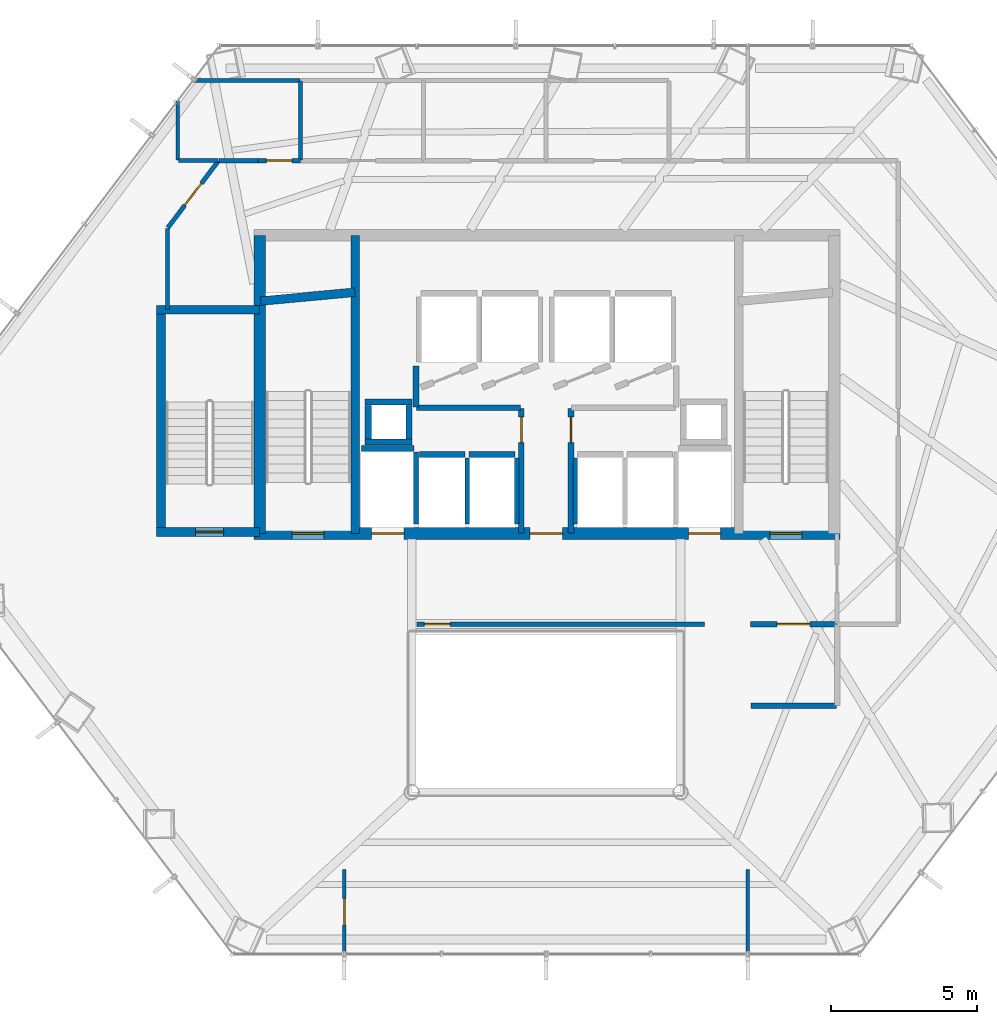
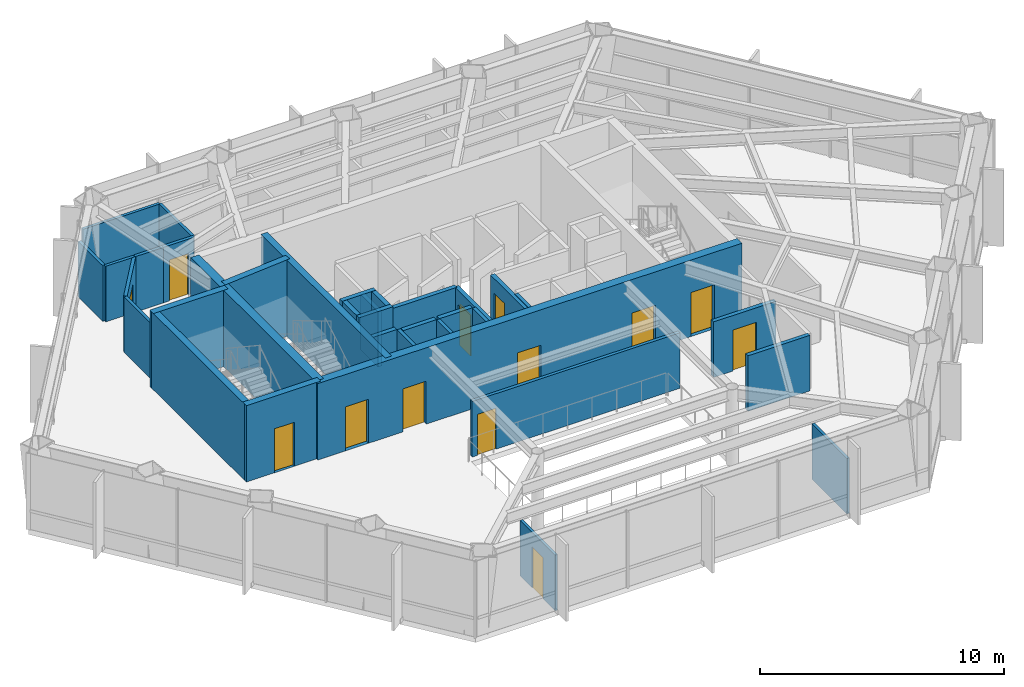
# One storey, part 23 of 26: 35 walls, 13 doors, 13 openings.
"""IFC4 building model written with IfcOpenShell, lengths in metres."""

from ifc_helpers import new_model, si_unit, direction, frame, frame_2d, origin, place, context, subcontext, project, spatial, rectangle, extrude, material, layer, layer_set, type_object, element, fill, save


model = new_model("IFC4")

# Units and contexts
model_context = context("Model", 3, precision=1e-05, world=origin(), true_north=direction((0.0, 1.0)))
body_context = subcontext(model_context, "Body", "Model", "MODEL_VIEW")
ifc_project = project(units=[si_unit("LENGTHUNIT", "METRE"), si_unit("AREAUNIT", "SQUARE_METRE"), si_unit("VOLUMEUNIT", "CUBIC_METRE"), si_unit("PLANEANGLEUNIT", "RADIAN"), si_unit("MASSUNIT", "GRAM", prefix="KILO")], contexts=[model_context])

# Site, building, storey
site_placement = place(None, origin())
site = spatial("IfcSite", under=ifc_project, at=site_placement, CompositionType="ELEMENT")
building_placement = place(site_placement, origin())
building = spatial("IfcBuilding", under=site, at=building_placement, Name="Zarrinselat Tower", CompositionType="ELEMENT")
storey_placement = place(building_placement, frame((0.0, 0.0, 60.179931640625)))
storey = spatial("IfcBuildingStorey", under=building, at=storey_placement, Name="L14", CompositionType="ELEMENT", Elevation=60.179931640625)

# Wall, opening, door
ifc_material_1 = material(Name="Concrete C40/50", Category="concrete")
ifc_layer_1 = layer(ifc_material_1, 0.18994140625)
ifc_layer_set_1 = layer_set([ifc_layer_1], Name="Concrete C40/50")
wall_type_1 = type_object("IfcWallType", Name="WAL-PART-EI120", PredefinedType="PARTITIONING", material=ifc_layer_set_1)
wall_1_placement = place(storey_placement, frame((45.385009765625, 30.14990234375, 0.0), z_axis=(0.0, 0.0, 1.0), x_axis=(1.0, 0.0, 0.0)))
wall_1 = element("IfcWall", 1, at=wall_1_placement, inside=storey, type_object=wall_type_1, Name="L14 Partition Wall 7", PredefinedType="PARTITIONING", context=body_context, shape_type="SweptSolid", body=[
    extrude(rectangle(XDim=2.945068359375, YDim=0.18994140625, at=frame_2d((1.47265625, 0.0))), origin(), (0.0, 0.0, 1.0), 2.777099609375),
])
opening_1_placement = place(wall_1_placement, frame((0.91259765625, 0.0, 0.0)))
opening_1 = element("IfcOpeningElement", 2, at=opening_1_placement, cuts=wall_1, Name="Opening ID-02", PredefinedType="OPENING", context=body_context, shape_type="SweptSolid", body=[
    extrude(rectangle(XDim=1.1201171875, YDim=2.050048828125, at=frame_2d((0.56005859375, 1.02490234375))), frame((0.0, 0.10498046875, 0.0), z_axis=(0.0, -1.0, 0.0), x_axis=(1.0, 0.0, 0.0)), (0.0, 0.0, 1.0), 0.2099609375),
])
ifc_material_2 = material(Name="Steel S355J2", Category="steel")
door_type_1 = type_object("IfcDoorType", Name="DR-INT-FD60-W", OperationType="NOTDEFINED", PredefinedType="DOOR", material=ifc_material_2)
door_1_placement = place(opening_1_placement, origin())
door_1 = element("IfcDoor", 3, at=door_1_placement, inside=storey, type_object=door_type_1, Name="L14 Interior Door P7", OperationType="SINGLE_SWING_LEFT", OverallHeight=2.050048828125, OverallWidth=1.1201171875, PredefinedType="DOOR", context=body_context, shape_type="SweptSolid", body=[
    extrude(rectangle(XDim=1.1201171875, YDim=2.050048828125, at=frame_2d((0.56005859375, 1.02490234375))), frame((0.0, 0.02490234375, 0.0), z_axis=(0.0, -1.0, 0.0), x_axis=(1.0, 0.0, 0.0)), (0.0, 0.0, 1.0), 0.050048828125),
])
fill(opening_1, door_1)

# Wall
wall_2_placement = place(storey_placement, frame((45.39990234375, 27.35009765625, 0.0), z_axis=(0.0, 0.0, 1.0), x_axis=(1.0, 0.0, 0.0)))
element("IfcWall", 4, at=wall_2_placement, inside=storey, type_object=wall_type_1, Name="L14 Partition Wall 10", PredefinedType="PARTITIONING", context=body_context, shape_type="SweptSolid", body=[
    extrude(rectangle(XDim=2.93017578125, YDim=0.18994140625, at=frame_2d((1.465087890625, 0.0))), origin(), (0.0, 0.0, 1.0), 2.777099609375),
])

# Wall, opening, door
ifc_material_3 = material(Name="Fire-Rated Gypsum Board Partition", Category="gypsum")
ifc_layer_2 = layer(ifc_material_3, 0.14990234375)
ifc_layer_set_2 = layer_set([ifc_layer_2], Name="Fire-Rated Gypsum Board Partition")
wall_type_2 = type_object("IfcWallType", Name="WAL-PART-EI60", PredefinedType="PARTITIONING", material=ifc_layer_set_2)
wall_3_placement = place(storey_placement, frame((33.985107421875, 30.14990234375, 0.0), z_axis=(0.0, 0.0, 1.0), x_axis=(1.0, 0.0, 0.0)))
wall_3 = element("IfcWall", 5, at=wall_3_placement, inside=storey, type_object=wall_type_2, Name="L14 Partition Wall 9", PredefinedType="PARTITIONING", context=body_context, shape_type="SweptSolid", body=[
    extrude(rectangle(XDim=9.829833984375, YDim=0.14990234375, at=frame_2d((4.9150390625, 0.0))), origin(), (0.0, 0.0, 1.0), 2.777099609375),
])
opening_2_placement = place(wall_3_placement, frame((0.25, 0.0, 0.0)))
opening_2 = element("IfcOpeningElement", 6, at=opening_2_placement, cuts=wall_3, Name="Opening ID-03", PredefinedType="OPENING", context=body_context, shape_type="SweptSolid", body=[
    extrude(rectangle(XDim=0.8798828125, YDim=2.050048828125, at=frame_2d((0.43994140625, 1.02490234375))), frame((0.0, 0.0849609375, 0.0), z_axis=(0.0, -1.0, 0.0), x_axis=(1.0, 0.0, 0.0)), (0.0, 0.0, 1.0), 0.169921875),
])
ifc_material_4 = material(Name="Steel S355J2", Category="steel")
door_type_2 = type_object("IfcDoorType", Name="DR-INT-FD60-S", OperationType="NOTDEFINED", PredefinedType="DOOR", material=ifc_material_4)
door_2_placement = place(opening_2_placement, origin())
door_2 = element("IfcDoor", 7, at=door_2_placement, inside=storey, type_object=door_type_2, Name="L14 Interior Door P9", OperationType="SINGLE_SWING_LEFT", OverallHeight=2.050048828125, OverallWidth=0.8798828125, PredefinedType="DOOR", context=body_context, shape_type="SweptSolid", body=[
    extrude(rectangle(XDim=0.8798828125, YDim=2.050048828125, at=frame_2d((0.43994140625, 1.02490234375))), frame((0.0, 0.02490234375, 0.0), z_axis=(0.0, -1.0, 0.0), x_axis=(1.0, 0.0, 0.0)), (0.0, 0.0, 1.0), 0.050048828125),
])
fill(opening_2, door_2)

# Wall
wall_4_placement = place(storey_placement, frame((27.216552734375, 46.0, 0.0), z_axis=(0.0, 0.0, 1.0), x_axis=(1.0, 0.0, 0.0)))
element("IfcWall", 8, at=wall_4_placement, inside=storey, type_object=wall_type_2, Name="L14 Partition Wall 12", PredefinedType="PARTITIONING", context=body_context, shape_type="SweptSolid", body=[
    extrude(rectangle(XDim=1.33349609375, YDim=0.14990234375, at=frame_2d((0.666748046875, 0.0))), origin(), (0.0, 0.0, 1.0), 2.777099609375),
])

# Wall, opening, door
wall_5_placement = place(storey_placement, frame((28.550048828125, 46.0, 0.0), z_axis=(0.0, 0.0, 1.0), x_axis=(1.0, 0.0, 0.0)))
wall_5 = element("IfcWall", 9, at=wall_5_placement, inside=storey, type_object=wall_type_2, Name="L14 Partition Wall 13", PredefinedType="PARTITIONING", context=body_context, shape_type="SweptSolid", body=[
    extrude(rectangle(XDim=1.445068359375, YDim=0.14990234375, at=frame_2d((0.72265625, 0.0))), origin(), (0.0, 0.0, 1.0), 2.777099609375),
])
opening_3_placement = place(wall_5_placement, frame((0.282470703125, 0.0, 0.0)))
opening_3 = element("IfcOpeningElement", 10, at=opening_3_placement, cuts=wall_5, Name="Opening ID-03", PredefinedType="OPENING", context=body_context, shape_type="SweptSolid", body=[
    extrude(rectangle(XDim=0.8798828125, YDim=2.050048828125, at=frame_2d((0.43994140625, 1.02490234375))), frame((0.0, 0.0849609375, 0.0), z_axis=(0.0, -1.0, 0.0), x_axis=(1.0, 0.0, 0.0)), (0.0, 0.0, 1.0), 0.169921875),
])
door_3_placement = place(opening_3_placement, origin())
door_3 = element("IfcDoor", 11, at=door_3_placement, inside=storey, type_object=door_type_2, Name="L14 Interior Door P13", OperationType="SINGLE_SWING_RIGHT", OverallHeight=2.050048828125, OverallWidth=0.8798828125, PredefinedType="DOOR", context=body_context, shape_type="SweptSolid", body=[
    extrude(rectangle(XDim=0.8798828125, YDim=2.050048828125, at=frame_2d((0.43994140625, 1.02490234375))), frame((0.0, 0.02490234375, 0.0), z_axis=(0.0, -1.0, 0.0), x_axis=(1.0, 0.0, 0.0)), (0.0, 0.0, 1.0), 0.050048828125),
])
fill(opening_3, door_3)

# Wall
wall_6_placement = place(storey_placement, frame((25.449951171875, 40.9150390625, 0.0), z_axis=(0.0, 0.0, 1.0), x_axis=(0.0, 1.0, 0.0)))
element("IfcWall", 12, at=wall_6_placement, inside=storey, type_object=wall_type_2, Name="L14 Partition Wall 17", PredefinedType="PARTITIONING", context=body_context, shape_type="SweptSolid", body=[
    extrude(rectangle(XDim=2.75927734375, YDim=0.14990234375, at=frame_2d((1.379638671875, 0.0))), origin(), (0.0, 0.0, 1.0), 2.777099609375),
])

# Wall, opening, door
wall_7_placement = place(storey_placement, frame((25.462158203125, 43.710205078125, 0.0), z_axis=(0.0, 0.0, 1.0), x_axis=(0.603800014115, 0.797135837204, 0.0)))
wall_7 = element("IfcWall", 13, at=wall_7_placement, inside=storey, type_object=wall_type_2, Name="L14 Partition Wall 18", PredefinedType="PARTITIONING", context=body_context, shape_type="SweptSolid", body=[
    extrude(rectangle(XDim=2.8525390625, YDim=0.14990234375, at=frame_2d((1.42626953125, 0.0))), origin(), (0.0, 0.0, 1.0), 2.777099609375),
])
opening_4_placement = place(wall_7_placement, frame((0.956298828125, 0.0, 0.0)))
opening_4 = element("IfcOpeningElement", 14, at=opening_4_placement, cuts=wall_7, Name="Opening ID-04", PredefinedType="OPENING", context=body_context, shape_type="SweptSolid", body=[
    extrude(rectangle(XDim=0.93994140625, YDim=2.050048828125, at=frame_2d((0.469970703125, 1.02490234375))), frame((0.0, 0.0849609375, 0.0), z_axis=(0.0, -1.0, 0.0), x_axis=(1.0, 0.0, 0.0)), (0.0, 0.0, 1.0), 0.169921875),
])
ifc_material_5 = material(Name="Fire-Rated Gypsum Board Partition")
door_type_3 = type_object("IfcDoorType", Name="DR-INT-FD30-ENT", OperationType="NOTDEFINED", PredefinedType="DOOR", material=ifc_material_5)
door_4_placement = place(opening_4_placement, origin())
door_4 = element("IfcDoor", 15, at=door_4_placement, inside=storey, type_object=door_type_3, Name="L14 Interior Door P18", OperationType="SINGLE_SWING_RIGHT", OverallHeight=2.050048828125, OverallWidth=0.93994140625, PredefinedType="DOOR", context=body_context, shape_type="SweptSolid", body=[
    extrude(rectangle(XDim=0.93994140625, YDim=2.050048828125, at=frame_2d((0.469970703125, 1.02490234375))), frame((0.0, 0.02490234375, 0.0), z_axis=(0.0, -1.0, 0.0), x_axis=(1.0, 0.0, 0.0)), (0.0, 0.0, 1.0), 0.050048828125),
])
fill(opening_4, door_4)

ifc_material_6 = material(Name="Concrete C40/50", Category="concrete")
ifc_layer_3 = layer(ifc_material_6, 0.199951171875)
ifc_layer_set_3 = layer_set([ifc_layer_3], Name="Concrete C40/50")
wall_type_3 = type_object("IfcWallType", Name="WAL-PART-PLANT", PredefinedType="PARTITIONING", material=ifc_layer_set_3)
wall_8_placement = place(storey_placement, frame((37.550048828125, 33.264892578125, 0.0), z_axis=(0.0, 0.0, 1.0), x_axis=(0.0, 1.0, 0.0)))
wall_8 = element("IfcWall", 16, at=wall_8_placement, inside=storey, type_object=wall_type_3, Name="L14 Partition Wall 1", PredefinedType="PARTITIONING", context=body_context, shape_type="SweptSolid", body=[
    extrude(rectangle(XDim=4.26513671875, YDim=0.199951171875, at=frame_2d((2.132568359375, 0.0))), origin(), (0.0, 0.0, 1.0), 2.777099609375),
])
opening_5_placement = place(wall_8_placement, frame((3.092529296875, 0.0, 0.0)))
opening_5 = element("IfcOpeningElement", 17, at=opening_5_placement, cuts=wall_8, Name="Opening ID-03", PredefinedType="OPENING", context=body_context, shape_type="SweptSolid", body=[
    extrude(rectangle(XDim=0.8798828125, YDim=2.050048828125, at=frame_2d((0.43994140625, 1.02490234375))), frame((0.0, 0.10986328125, 0.0), z_axis=(0.0, -1.0, 0.0), x_axis=(1.0, 0.0, 0.0)), (0.0, 0.0, 1.0), 0.219970703125),
])
door_5_placement = place(opening_5_placement, origin())
door_5 = element("IfcDoor", 18, at=door_5_placement, inside=storey, type_object=door_type_2, Name="L14 Interior Door P1", OperationType="SINGLE_SWING_LEFT", OverallHeight=2.050048828125, OverallWidth=0.8798828125, PredefinedType="DOOR", context=body_context, shape_type="SweptSolid", body=[
    extrude(rectangle(XDim=0.8798828125, YDim=2.050048828125, at=frame_2d((0.43994140625, 1.02490234375))), frame((0.0, 0.02490234375, 0.0), z_axis=(0.0, -1.0, 0.0), x_axis=(1.0, 0.0, 0.0)), (0.0, 0.0, 1.0), 0.050048828125),
])
fill(opening_5, door_5)

# Walls
wall_9_placement = place(storey_placement, frame((33.969970703125, 37.550048828125, 0.0), z_axis=(0.0, 0.0, 1.0), x_axis=(1.0, 0.0, 0.0)))
element("IfcWall", 19, at=wall_9_placement, inside=storey, type_object=wall_type_3, Name="L14 Partition Wall 2", PredefinedType="PARTITIONING", context=body_context, shape_type="SweptSolid", body=[
    extrude(rectangle(XDim=3.56005859375, YDim=0.199951171875, at=frame_2d((1.780029296875, 0.0))), origin(), (0.0, 0.0, 1.0), 2.777099609375),
])
wall_10_placement = place(storey_placement, frame((33.949951171875, 37.570068359375, 0.0), z_axis=(0.0, 0.0, 1.0), x_axis=(0.0, 1.0, 0.0)))
element("IfcWall", 20, at=wall_10_placement, inside=storey, type_object=wall_type_3, Name="L14 Partition Wall 3", PredefinedType="PARTITIONING", context=body_context, shape_type="SweptSolid", body=[
    extrude(rectangle(XDim=1.4150390625, YDim=0.199951171875, at=frame_2d((0.70751953125, 0.0))), origin(), (0.0, 0.0, 1.0), 2.777099609375),
])

# Wall, opening, door
wall_11_placement = place(storey_placement, frame((39.25, 33.264892578125, 0.0), z_axis=(0.0, 0.0, 1.0), x_axis=(0.0, 1.0, 0.0)))
wall_11 = element("IfcWall", 21, at=wall_11_placement, inside=storey, type_object=wall_type_3, Name="L14 Partition Wall 6", PredefinedType="PARTITIONING", context=body_context, shape_type="SweptSolid", body=[
    extrude(rectangle(XDim=4.26513671875, YDim=0.199951171875, at=frame_2d((2.132568359375, 0.0))), origin(), (0.0, 0.0, 1.0), 2.777099609375),
])
opening_6_placement = place(wall_11_placement, frame((3.092529296875, 0.0, 0.0)))
opening_6 = element("IfcOpeningElement", 22, at=opening_6_placement, cuts=wall_11, Name="Opening ID-03", PredefinedType="OPENING", context=body_context, shape_type="SweptSolid", body=[
    extrude(rectangle(XDim=0.8798828125, YDim=2.050048828125, at=frame_2d((0.43994140625, 1.02490234375))), frame((0.0, 0.10986328125, 0.0), z_axis=(0.0, -1.0, 0.0), x_axis=(1.0, 0.0, 0.0)), (0.0, 0.0, 1.0), 0.219970703125),
])
door_6_placement = place(opening_6_placement, origin())
door_6 = element("IfcDoor", 23, at=door_6_placement, inside=storey, type_object=door_type_2, Name="L14 Interior Door P6", OperationType="SINGLE_SWING_RIGHT", OverallHeight=2.050048828125, OverallWidth=0.8798828125, PredefinedType="DOOR", context=body_context, shape_type="SweptSolid", body=[
    extrude(rectangle(XDim=0.8798828125, YDim=2.050048828125, at=frame_2d((0.43994140625, 1.02490234375))), frame((0.0, 0.02490234375, 0.0), z_axis=(0.0, -1.0, 0.0), x_axis=(1.0, 0.0, 0.0)), (0.0, 0.0, 1.0), 0.050048828125),
])
fill(opening_6, door_6)

ifc_material_7 = material(Name="Fire-Rated Gypsum Board Partition", Category="gypsum")
ifc_layer_4 = layer(ifc_material_7, 0.1201171875)
ifc_layer_set_4 = layer_set([ifc_layer_4], Name="Fire-Rated Gypsum Board Partition")
wall_type_4 = type_object("IfcWallType", Name="WAL-PART-STD", PredefinedType="PARTITIONING", material=ifc_layer_set_4)
wall_12_placement = place(storey_placement, frame((31.5, 18.876708984375, 0.0), z_axis=(0.0, 0.0, 1.0), x_axis=(0.0, 1.0, 0.0)))
wall_12 = element("IfcWall", 24, at=wall_12_placement, inside=storey, type_object=wall_type_4, Name="L14 Partition Wall 35", PredefinedType="PARTITIONING", context=body_context, shape_type="SweptSolid", body=[
    extrude(rectangle(XDim=2.873291015625, YDim=0.1201171875, at=frame_2d((1.4365234375, 0.0))), origin(), (0.0, 0.0, 1.0), 2.777099609375),
])
opening_7_placement = place(wall_12_placement, frame((0.98681640625, 0.0, 0.0)))
opening_7 = element("IfcOpeningElement", 25, at=opening_7_placement, cuts=wall_12, Name="Opening ID-05", PredefinedType="OPENING", context=body_context, shape_type="SweptSolid", body=[
    extrude(rectangle(XDim=0.89990234375, YDim=2.050048828125, at=frame_2d((0.449951171875, 1.02490234375))), frame((0.0, 0.070068359375, 0.0), z_axis=(0.0, -1.0, 0.0), x_axis=(1.0, 0.0, 0.0)), (0.0, 0.0, 1.0), 0.14013671875),
])
ifc_material_8 = material(Name="Extruded Aluminium Alloy EN AW-6063 T6", Category="aluminium")
door_type_4 = type_object("IfcDoorType", Name="DR-INT-STD-920", OperationType="NOTDEFINED", PredefinedType="DOOR", material=ifc_material_8)
door_7_placement = place(opening_7_placement, origin())
door_7 = element("IfcDoor", 26, at=door_7_placement, inside=storey, type_object=door_type_4, Name="L14 Interior Door P35", OperationType="SINGLE_SWING_LEFT", OverallHeight=2.050048828125, OverallWidth=0.89990234375, PredefinedType="DOOR", context=body_context, shape_type="SweptSolid", body=[
    extrude(rectangle(XDim=0.89990234375, YDim=2.050048828125, at=frame_2d((0.449951171875, 1.02490234375))), frame((0.0, 0.02490234375, 0.0), z_axis=(0.0, -1.0, 0.0), x_axis=(1.0, 0.0, 0.0)), (0.0, 0.0, 1.0), 0.050048828125),
])
fill(opening_7, door_7)

# Walls
wall_13_placement = place(storey_placement, frame((45.300048828125, 18.876708984375, 0.0), z_axis=(0.0, 0.0, 1.0), x_axis=(0.0, 1.0, 0.0)))
element("IfcWall", 27, at=wall_13_placement, inside=storey, type_object=wall_type_4, Name="L14 Partition Wall 36", PredefinedType="PARTITIONING", context=body_context, shape_type="SweptSolid", body=[
    extrude(rectangle(XDim=2.873291015625, YDim=0.1201171875, at=frame_2d((1.4365234375, 0.0))), origin(), (0.0, 0.0, 1.0), 2.777099609375),
])
ifc_material_9 = material(Name="Fire-Rated Gypsum Board Partition", Category="gypsum")
ifc_layer_5 = layer(ifc_material_9, 0.135009765625)
ifc_layer_set_5 = layer_set([ifc_layer_5], Name="Fire-Rated Gypsum Board Partition")
wall_type_5 = type_object("IfcWallType", Name="WAL-PART-WET", PredefinedType="PARTITIONING", material=ifc_layer_set_5)
wall_14_placement = place(storey_placement, frame((30.0, 46.02001953125, 0.0), z_axis=(0.0, 0.0, 1.0), x_axis=(0.0, 1.0, 0.0)))
element("IfcWall", 28, at=wall_14_placement, inside=storey, type_object=wall_type_5, Name="L14 Partition Wall 25", PredefinedType="PARTITIONING", context=body_context, shape_type="SweptSolid", body=[
    extrude(rectangle(XDim=2.7099609375, YDim=0.135009765625, at=frame_2d((1.35498046875, 0.0))), origin(), (0.0, 0.0, 1.0), 2.777099609375),
])
wall_15_placement = place(storey_placement, frame((25.820068359375, 46.0, 0.0), z_axis=(0.0, 0.0, 1.0), x_axis=(1.0, 0.0, 0.0)))
element("IfcWall", 29, at=wall_15_placement, inside=storey, type_object=wall_type_5, Name="L14 Partition Wall 26", PredefinedType="PARTITIONING", context=body_context, shape_type="SweptSolid", body=[
    extrude(rectangle(XDim=1.3564453125, YDim=0.135009765625, at=frame_2d((0.67822265625, 0.0))), origin(), (0.0, 0.0, 1.0), 2.777099609375),
])
wall_16_placement = place(storey_placement, frame((25.800048828125, 46.02001953125, 0.0), z_axis=(0.0, 0.0, 1.0), x_axis=(0.0, 1.0, 0.0)))
element("IfcWall", 30, at=wall_16_placement, inside=storey, type_object=wall_type_5, Name="L14 Partition Wall 27", PredefinedType="PARTITIONING", context=body_context, shape_type="SweptSolid", body=[
    extrude(rectangle(XDim=2.029541015625, YDim=0.135009765625, at=frame_2d((1.0146484375, 0.0))), origin(), (0.0, 0.0, 1.0), 2.777099609375),
])
wall_17_placement = place(storey_placement, frame((26.334228515625, 48.75, 0.0), z_axis=(0.0, 0.0, 1.0), x_axis=(1.0, 0.0, 0.0)))
element("IfcWall", 31, at=wall_17_placement, inside=storey, type_object=wall_type_5, Name="L14 Partition Wall 28", PredefinedType="PARTITIONING", context=body_context, shape_type="SweptSolid", body=[
    extrude(rectangle(XDim=3.645751953125, YDim=0.135009765625, at=frame_2d((1.82275390625, 0.0))), origin(), (0.0, 0.0, 1.0), 2.777099609375),
])
ifc_material_10 = material(Name="Concrete C40/50", Category="concrete")
ifc_layer_6 = layer(ifc_material_10, 0.2099609375)
ifc_layer_set_6 = layer_set([ifc_layer_6], Name="Concrete C40/50")
wall_type_6 = type_object("IfcWallType", Name="WAL-SHAFT-210", PredefinedType="SOLIDWALL", material=ifc_layer_set_6)
wall_18_placement = place(storey_placement, frame((32.080078125, 36.155029296875, 0.0), z_axis=(0.0, 0.0, 1.0), x_axis=(1.0, 0.0, 0.0)))
element("IfcWall", 32, at=wall_18_placement, inside=storey, type_object=wall_type_6, Name="L14 Lift FFL1 North Shaft Wall", PredefinedType="SOLIDWALL", context=body_context, shape_type="SweptSolid", body=[
    extrude(rectangle(XDim=1.7998046875, YDim=0.2099609375, at=frame_2d((0.89990234375, 0.0))), origin(), (0.0, 0.0, 1.0), 2.7919921875),
])
wall_19_placement = place(storey_placement, frame((33.949951171875, 33.580078125, 0.0), z_axis=(0.0, 0.0, 1.0), x_axis=(0.0, 1.0, 0.0)))
element("IfcWall", 33, at=wall_19_placement, inside=storey, type_object=wall_type_6, Name="L14 Lift FFL1 E Shaft Wall", PredefinedType="SOLIDWALL", context=body_context, shape_type="SweptSolid", body=[
    extrude(rectangle(XDim=2.449951171875, YDim=0.159912109375, at=frame_2d((1.22509765625, 0.0))), origin(), (0.0, 0.0, 1.0), 2.7919921875),
])
wall_20_placement = place(storey_placement, frame((34.070068359375, 35.955078125, 0.0), z_axis=(0.0, 0.0, 1.0), x_axis=(1.0, 0.0, 0.0)))
element("IfcWall", 34, at=wall_20_placement, inside=storey, type_object=wall_type_6, Name="L14 Lift PL5 North Shaft Wall", PredefinedType="SOLIDWALL", context=body_context, shape_type="SweptSolid", body=[
    extrude(rectangle(XDim=1.559814453125, YDim=0.2099609375, at=frame_2d((0.77978515625, 0.0))), origin(), (0.0, 0.0, 1.0), 2.7919921875),
])
wall_21_placement = place(storey_placement, frame((35.699951171875, 33.580078125, 0.0), z_axis=(0.0, 0.0, 1.0), x_axis=(0.0, 1.0, 0.0)))
element("IfcWall", 35, at=wall_21_placement, inside=storey, type_object=wall_type_6, Name="L14 Lift PL5 E Shaft Wall", PredefinedType="SOLIDWALL", context=body_context, shape_type="SweptSolid", body=[
    extrude(rectangle(XDim=2.25, YDim=0.159912109375, at=frame_2d((1.125, 0.0))), origin(), (0.0, 0.0, 1.0), 2.7919921875),
])
wall_22_placement = place(storey_placement, frame((35.77001953125, 35.955078125, 0.0), z_axis=(0.0, 0.0, 1.0), x_axis=(1.0, 0.0, 0.0)))
element("IfcWall", 36, at=wall_22_placement, inside=storey, type_object=wall_type_6, Name="L14 Lift PL6 North Shaft Wall", PredefinedType="SOLIDWALL", context=body_context, shape_type="SweptSolid", body=[
    extrude(rectangle(XDim=1.56005859375, YDim=0.2099609375, at=frame_2d((0.780029296875, 0.0))), origin(), (0.0, 0.0, 1.0), 2.7919921875),
])
for number, where, z_axis, x_axis, name in (
    (37, (37.39990234375, 33.580078125, 0.0), (0.0, 0.0, 1.0), (0.0, 1.0, 0.0), "L14 Lift PL6 E Shaft Wall"),
    (38, (39.39990234375, 33.580078125, 0.0), (0.0, 0.0, 1.0), (0.0, 1.0, 0.0), "L14 Lift PL8 W Shaft Wall"),
):
    element("IfcWall", number, at=place(storey_placement, frame(where, z_axis=z_axis, x_axis=x_axis)), inside=storey, type_object=wall_type_6, Name=name, PredefinedType="SOLIDWALL", context=body_context, shape_type="SweptSolid", body=[
        extrude(rectangle(XDim=2.25, YDim=0.159912109375, at=frame_2d((1.125, 0.0))), origin(), (0.0, 0.0, 1.0), 2.7919921875),
    ])
for number, where, z_axis, x_axis, name in (
    (39, (32.2099609375, 36.375, 0.0), (0.0, 0.0, 1.0), (1.0, 0.0, 0.0), "L14 Core Riser RSR-W S Shaft Wall"),
    (40, (32.2099609375, 37.7451171875, 0.0), (0.0, 0.0, 1.0), (1.0, 0.0, 0.0), "L14 Core Riser RSR-W N Shaft Wall"),
):
    element("IfcWall", number, at=place(storey_placement, frame(where, z_axis=z_axis, x_axis=x_axis)), inside=storey, type_object=wall_type_6, Name=name, PredefinedType="SOLIDWALL", context=body_context, shape_type="SweptSolid", body=[
        extrude(rectangle(XDim=1.60009765625, YDim=0.2099609375, at=frame_2d((0.800048828125, 0.0))), origin(), (0.0, 0.0, 1.0), 3.820068359375),
    ])
for number, where, z_axis, x_axis, name in (
    (41, (32.31494140625, 36.485107421875, 0.0), (0.0, 0.0, 1.0), (0.0, 1.0, 0.0), "L14 Core Riser RSR-W W Shaft Wall"),
    (42, (33.705078125, 36.485107421875, 0.0), (0.0, 0.0, 1.0), (0.0, 1.0, 0.0), "L14 Core Riser RSR-W E Shaft Wall"),
):
    element("IfcWall", number, at=place(storey_placement, frame(where, z_axis=z_axis, x_axis=x_axis)), inside=storey, type_object=wall_type_6, Name=name, PredefinedType="SOLIDWALL", context=body_context, shape_type="SweptSolid", body=[
        extrude(rectangle(XDim=1.14990234375, YDim=0.2099609375, at=frame_2d((0.574951171875, 0.0))), origin(), (0.0, 0.0, 1.0), 3.820068359375),
    ])
ifc_material_11 = material(Name="Concrete C40/50", Category="concrete")
ifc_layer_7 = layer(ifc_material_11, 0.300048828125)
ifc_layer_set_7 = layer_set([ifc_layer_7], Name="Concrete C40/50")
wall_type_7 = type_object("IfcWallType", Name="WAL-SHEAR-300", PredefinedType="SHEAR", material=ifc_layer_set_7)
wall_23_placement = place(storey_placement, frame((31.8701171875, 33.25, 0.0), z_axis=(0.0, 0.0, 1.0), x_axis=(0.0, 1.0, 0.0)))
element("IfcWall", 43, at=wall_23_placement, inside=storey, type_object=wall_type_7, Name="L14 Core Shear Wall ST1E", PredefinedType="SHEAR", context=body_context, shape_type="SweptSolid", body=[
    extrude(rectangle(XDim=10.199951171875, YDim=0.300048828125, at=frame_2d((5.10009765625, 0.0))), origin(), (0.0, 0.0, 1.0), 3.820068359375),
])
wall_24_placement = place(storey_placement, frame((28.639892578125, 41.199951171875, 0.0), z_axis=(0.0, 0.0, 1.0), x_axis=(0.995687118776, 0.092774789157, 0.0)))
element("IfcWall", 44, at=wall_24_placement, inside=storey, type_object=wall_type_7, Name="L14 Stair 1 North Shaft Wall", PredefinedType="SHEAR", context=body_context, shape_type="SweptSolid", body=[
    extrude(rectangle(XDim=3.234130859375, YDim=0.300048828125, at=frame_2d((1.6171875, 0.0))), origin(), (0.0, 0.0, 1.0), 3.820068359375),
])
wall_25_placement = place(storey_placement, frame((25.080078125, 40.89990234375, 0.0), z_axis=(0.0, 0.0, 1.0), x_axis=(1.0, 0.0, 0.0)))
element("IfcWall", 45, at=wall_25_placement, inside=storey, type_object=wall_type_7, Name="L14 Stair 3 North Shear Wall", PredefinedType="SHEAR", context=body_context, shape_type="SweptSolid", body=[
    extrude(rectangle(XDim=3.52001953125, YDim=0.300048828125, at=frame_2d((1.760009765625, 0.0))), origin(), (0.0, 0.0, 1.0), 3.820068359375),
])

# Wall, opening, door
wall_26_placement = place(storey_placement, frame((25.080078125, 33.300048828125, 0.0), z_axis=(0.0, 0.0, 1.0), x_axis=(1.0, 0.0, 0.0)))
wall_26 = element("IfcWall", 46, at=wall_26_placement, inside=storey, type_object=wall_type_7, Name="L14 Stair 3 South Shear Wall", PredefinedType="SHEAR", context=body_context, shape_type="SweptSolid", body=[
    extrude(rectangle(XDim=3.52001953125, YDim=0.300048828125, at=frame_2d((1.760009765625, 0.0))), origin(), (0.0, 0.0, 1.0), 3.820068359375),
])
opening_8_placement = place(wall_26_placement, frame((1.3349609375, 0.0, 0.0)))
opening_8 = element("IfcOpeningElement", 47, at=opening_8_placement, cuts=wall_26, Name="Opening SD-02", PredefinedType="OPENING", context=body_context, shape_type="SweptSolid", body=[
    extrude(rectangle(XDim=0.949951171875, YDim=2.199951171875, at=frame_2d((0.47509765625, 1.10009765625))), frame((0.0, 0.159912109375, 0.0), z_axis=(0.0, -1.0, 0.0), x_axis=(1.0, 0.0, 0.0)), (0.0, 0.0, 1.0), 0.320068359375),
])
ifc_material_12 = material(Name="Steel S355J2", Category="steel")
door_type_5 = type_object("IfcDoorType", Name="DR-STAIR-1050", OperationType="NOTDEFINED", PredefinedType="DOOR", material=ifc_material_12)
door_8_placement = place(opening_8_placement, origin())
door_8 = element("IfcDoor", 48, at=door_8_placement, inside=storey, type_object=door_type_5, Name="L14 Exit Stair 3 Fire Door", OperationType="SINGLE_SWING_LEFT", OverallHeight=2.199951171875, OverallWidth=0.949951171875, PredefinedType="DOOR", context=body_context, shape_type="SweptSolid", body=[
    extrude(rectangle(XDim=0.949951171875, YDim=2.199951171875, at=frame_2d((0.47509765625, 1.10009765625))), frame((0.0, 0.02490234375, 0.0), z_axis=(0.0, -1.0, 0.0), x_axis=(1.0, 0.0, 0.0)), (0.0, 0.0, 1.0), 0.050048828125),
])
fill(opening_8, door_8)

# Wall
wall_27_placement = place(storey_placement, frame((25.22998046875, 33.300048828125, 0.0), z_axis=(0.0, 0.0, 1.0), x_axis=(0.0, 1.0, 0.0)))
element("IfcWall", 49, at=wall_27_placement, inside=storey, type_object=wall_type_7, Name="L14 Stair 3 West Shear Wall", PredefinedType="SHEAR", context=body_context, shape_type="SweptSolid", body=[
    extrude(rectangle(XDim=7.599853515625, YDim=0.300048828125, at=frame_2d((3.7998046875, 0.0))), origin(), (0.0, 0.0, 1.0), 3.820068359375),
])

# Wall, openings, doors
ifc_material_13 = material(Name="Concrete C60/75", Category="concrete")
ifc_layer_8 = layer(ifc_material_13, 0.39990234375)
ifc_layer_set_8 = layer_set([ifc_layer_8], Name="Concrete C60/75")
wall_type_8 = type_object("IfcWallType", Name="WAL-SHEAR-400", PredefinedType="SHEAR", material=ifc_layer_set_8)
wall_28_placement = place(storey_placement, frame((28.39990234375, 33.25, 0.0), z_axis=(0.0, 0.0, 1.0), x_axis=(1.0, 0.0, 0.0)))
wall_28 = element("IfcWall", 50, at=wall_28_placement, inside=storey, type_object=wall_type_8, Name="L14 South Core Shear Wall", PredefinedType="SHEAR", context=body_context, shape_type="SweptSolid", body=[
    extrude(rectangle(XDim=20.06005859375, YDim=0.39990234375, at=frame_2d((10.030029296875, 0.0))), origin(), (0.0, 0.0, 1.0), 3.820068359375),
])
opening_9_placement = place(wall_28_placement, frame((4.030029296875, 0.0, 0.0)))
opening_9 = element("IfcOpeningElement", 51, at=opening_9_placement, cuts=wall_28, Name="Opening LD-FFL1", PredefinedType="OPENING", context=body_context, shape_type="SweptSolid", body=[
    extrude(rectangle(XDim=1.10009765625, YDim=2.14990234375, at=frame_2d((0.550048828125, 1.074951171875))), frame((0.0, 0.2099609375, 0.0), z_axis=(0.0, -1.0, 0.0), x_axis=(1.0, 0.0, 0.0)), (0.0, 0.0, 1.0), 0.419921875),
])
opening_10_placement = place(wall_28_placement, frame((14.8701171875, 0.0, 0.0)))
opening_10 = element("IfcOpeningElement", 52, at=opening_10_placement, cuts=wall_28, Name="Opening LD-FFL2", PredefinedType="OPENING", context=body_context, shape_type="SweptSolid", body=[
    extrude(rectangle(XDim=1.10009765625, YDim=2.14990234375, at=frame_2d((0.550048828125, 1.074951171875))), frame((0.0, 0.2099609375, 0.0), z_axis=(0.0, -1.0, 0.0), x_axis=(1.0, 0.0, 0.0)), (0.0, 0.0, 1.0), 0.419921875),
])
opening_11_placement = place(wall_28_placement, frame((1.31005859375, 0.0, 0.0)))
opening_11 = element("IfcOpeningElement", 53, at=opening_11_placement, cuts=wall_28, Name="Opening SD-01", PredefinedType="OPENING", context=body_context, shape_type="SweptSolid", body=[
    extrude(rectangle(XDim=1.10009765625, YDim=2.199951171875, at=frame_2d((0.550048828125, 1.10009765625))), frame((0.0, 0.2099609375, 0.0), z_axis=(0.0, -1.0, 0.0), x_axis=(1.0, 0.0, 0.0)), (0.0, 0.0, 1.0), 0.419921875),
])
opening_12_placement = place(wall_28_placement, frame((9.43994140625, 0.0, 0.0)))
opening_12 = element("IfcOpeningElement", 54, at=opening_12_placement, cuts=wall_28, Name="Opening ID-02", PredefinedType="OPENING", context=body_context, shape_type="SweptSolid", body=[
    extrude(rectangle(XDim=1.1201171875, YDim=2.050048828125, at=frame_2d((0.56005859375, 1.02490234375))), frame((0.0, 0.2099609375, 0.0), z_axis=(0.0, -1.0, 0.0), x_axis=(1.0, 0.0, 0.0)), (0.0, 0.0, 1.0), 0.419921875),
])
opening_13_placement = place(wall_28_placement, frame((17.64990234375, 0.0, 0.0)))
opening_13 = element("IfcOpeningElement", 55, at=opening_13_placement, cuts=wall_28, Name="Opening SD-01", PredefinedType="OPENING", context=body_context, shape_type="SweptSolid", body=[
    extrude(rectangle(XDim=1.10009765625, YDim=2.199951171875, at=frame_2d((0.550048828125, 1.10009765625))), frame((0.0, 0.2099609375, 0.0), z_axis=(0.0, -1.0, 0.0), x_axis=(1.0, 0.0, 0.0)), (0.0, 0.0, 1.0), 0.419921875),
])
door_9_placement = place(opening_12_placement, origin())
door_9 = element("IfcDoor", 56, at=door_9_placement, inside=storey, type_object=door_type_1, Name="L14 Core Service Vestibule Fire Door", OperationType="SINGLE_SWING_RIGHT", OverallHeight=2.050048828125, OverallWidth=1.1201171875, PredefinedType="DOOR", context=body_context, shape_type="SweptSolid", body=[
    extrude(rectangle(XDim=1.1201171875, YDim=2.050048828125, at=frame_2d((0.56005859375, 1.02490234375))), frame((0.0, 0.02490234375, 0.0), z_axis=(0.0, -1.0, 0.0), x_axis=(1.0, 0.0, 0.0)), (0.0, 0.0, 1.0), 0.050048828125),
])
fill(opening_12, door_9)
ifc_material_14 = material(Name="Steel S355J2", Category="steel")
door_type_6 = type_object("IfcDoorType", Name="DR-LIFT-FF-1100", OperationType="NOTDEFINED", PredefinedType="DOOR", material=ifc_material_14)
door_10_placement = place(opening_9_placement, origin())
door_10 = element("IfcDoor", 57, at=door_10_placement, inside=storey, type_object=door_type_6, Name="L14 Lift FFL1 Sliding Landing Door", OperationType="SLIDING_TO_LEFT", OverallHeight=2.14990234375, OverallWidth=1.10009765625, PredefinedType="DOOR", context=body_context, shape_type="SweptSolid", body=[
    extrude(rectangle(XDim=1.10009765625, YDim=2.14990234375, at=frame_2d((0.550048828125, 1.074951171875))), frame((0.0, 0.02490234375, 0.0), z_axis=(0.0, -1.0, 0.0), x_axis=(1.0, 0.0, 0.0)), (0.0, 0.0, 1.0), 0.050048828125),
])
fill(opening_9, door_10)
door_11_placement = place(opening_10_placement, origin())
door_11 = element("IfcDoor", 58, at=door_11_placement, inside=storey, type_object=door_type_6, Name="L14 Lift FFL2 Sliding Landing Door", OperationType="SLIDING_TO_RIGHT", OverallHeight=2.14990234375, OverallWidth=1.10009765625, PredefinedType="DOOR", context=body_context, shape_type="SweptSolid", body=[
    extrude(rectangle(XDim=1.10009765625, YDim=2.14990234375, at=frame_2d((0.550048828125, 1.074951171875))), frame((0.0, 0.02490234375, 0.0), z_axis=(0.0, -1.0, 0.0), x_axis=(1.0, 0.0, 0.0)), (0.0, 0.0, 1.0), 0.050048828125),
])
fill(opening_10, door_11)
ifc_material_15 = material(Name="Steel S355J2", Category="steel")
door_type_7 = type_object("IfcDoorType", Name="DR-STAIR-1100", OperationType="NOTDEFINED", PredefinedType="DOOR", material=ifc_material_15)
door_12_placement = place(opening_11_placement, origin())
door_12 = element("IfcDoor", 59, at=door_12_placement, inside=storey, type_object=door_type_7, Name="L14 Exit Stair 1 Fire Door", OperationType="SINGLE_SWING_LEFT", OverallHeight=2.199951171875, OverallWidth=1.10009765625, PredefinedType="DOOR", context=body_context, shape_type="SweptSolid", body=[
    extrude(rectangle(XDim=1.10009765625, YDim=2.199951171875, at=frame_2d((0.550048828125, 1.10009765625))), frame((0.0, 0.02490234375, 0.0), z_axis=(0.0, -1.0, 0.0), x_axis=(1.0, 0.0, 0.0)), (0.0, 0.0, 1.0), 0.050048828125),
])
fill(opening_11, door_12)
door_13_placement = place(opening_13_placement, origin())
door_13 = element("IfcDoor", 60, at=door_13_placement, inside=storey, type_object=door_type_7, Name="L14 Exit Stair 2 Fire Door", OperationType="SINGLE_SWING_RIGHT", OverallHeight=2.199951171875, OverallWidth=1.10009765625, PredefinedType="DOOR", context=body_context, shape_type="SweptSolid", body=[
    extrude(rectangle(XDim=1.10009765625, YDim=2.199951171875, at=frame_2d((0.550048828125, 1.10009765625))), frame((0.0, 0.02490234375, 0.0), z_axis=(0.0, -1.0, 0.0), x_axis=(1.0, 0.0, 0.0)), (0.0, 0.0, 1.0), 0.050048828125),
])
fill(opening_13, door_13)

# Wall
wall_29_placement = place(storey_placement, frame((28.60009765625, 33.25, 0.0), z_axis=(0.0, 0.0, 1.0), x_axis=(0.0, 1.0, 0.0)))
element("IfcWall", 61, at=wall_29_placement, inside=storey, type_object=wall_type_8, Name="L14 Core Shear Wall W", PredefinedType="SHEAR", context=body_context, shape_type="SweptSolid", body=[
    extrude(rectangle(XDim=10.199951171875, YDim=0.39990234375, at=frame_2d((5.10009765625, 0.0))), origin(), (0.0, 0.0, 1.0), 3.820068359375),
])

save(model, "model.ifc")
